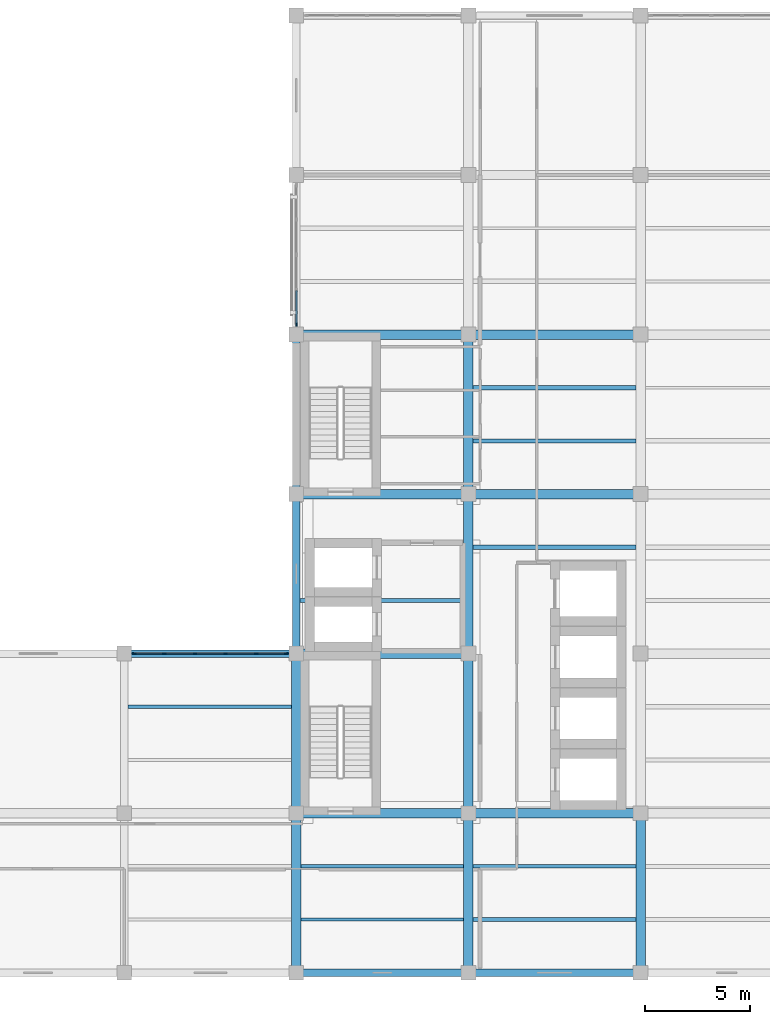
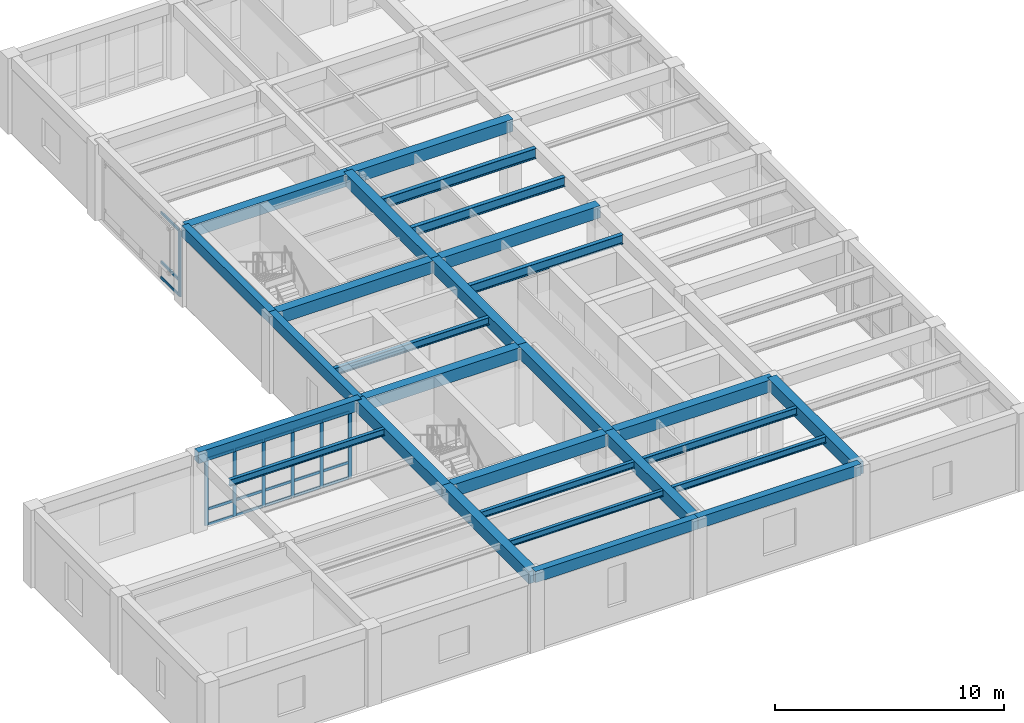
# One storey, part 2 of 13: 28 beams, 25 members, 2 elements without a shape of their own.
"""IFC4 building model written with IfcOpenShell, lengths in metres."""

from ifc_helpers import new_model, si_unit, direction, frame, origin, origin_2d, place, context, subcontext, project, spatial, rectangle, i_section, extrude, material, material_profile, profile_set, type_object, element, aggregate, save


model = new_model("IFC4")

# Units and contexts
model_context = context("Model", 3, precision=1e-05, world=origin(), true_north=direction((0.0, 1.0)))
body_context = subcontext(model_context, "Body", "Model", "MODEL_VIEW")
ifc_project = project(units=[si_unit("LENGTHUNIT", "METRE"), si_unit("AREAUNIT", "SQUARE_METRE"), si_unit("VOLUMEUNIT", "CUBIC_METRE"), si_unit("PLANEANGLEUNIT", "RADIAN"), si_unit("MASSUNIT", "GRAM", prefix="KILO")], contexts=[model_context])

# Site, building, storey
site_placement = place(None, origin())
site = spatial("IfcSite", under=ifc_project, at=site_placement, CompositionType="ELEMENT")
building_placement = place(site_placement, origin())
building = spatial("IfcBuilding", under=site, at=building_placement, Name="Qandaris Square Conservatory and Botanical Centre", CompositionType="ELEMENT")
storey_placement = place(building_placement, frame((0.0, 0.0, 61.800048828125)))
storey = spatial("IfcBuildingStorey", under=building, at=storey_placement, Name="L14", CompositionType="ELEMENT", Elevation=61.800048828125)

# Beams
ifc_material_1 = material(Name="Steel S355", Category="steel")
ifc_material_profile_1 = material_profile(ifc_material_1, i_section(OverallWidth=0.199951171875, OverallDepth=0.5, WebThickness=0.01025390625, FlangeThickness=0.01611328125, FilletRadius=0.02099609375, at=origin_2d()), Name="IPE 500")
ifc_profile_set_1 = profile_set([ifc_material_profile_1], Name="Steel S355")
beam_type_1 = type_object("IfcBeamType", Name="Composite Gallery Joist IPE 500", PredefinedType="JOIST", material=ifc_profile_set_1)
for number, where, z_axis, x_axis, name in (
    (1, (147.625, 36.86669921875, 3.849853515625), (1.0, 0.0, 0.0), (0.0, 1.0, 0.0), "L14 Composite Joist 2889"),
    (2, (147.625, 41.933349609375, 3.849853515625), (1.0, 0.0, 0.0), (0.0, 1.0, 0.0), "L14 Composite Joist 2890"),
):
    element("IfcBeam", number, at=place(storey_placement, frame(where, z_axis=z_axis, x_axis=x_axis)), inside=storey, type_object=beam_type_1, Name=name, PredefinedType="JOIST", context=body_context, shape_type="SweptSolid", body=[
        extrude(i_section(OverallWidth=0.199951171875, OverallDepth=0.5, WebThickness=0.01025390625, FlangeThickness=0.01611328125, FilletRadius=0.02099609375, at=origin_2d()), origin(), (0.0, 0.0, 1.0), 7.75),
    ])
ifc_material_profile_2 = material_profile(ifc_material_1, i_section(OverallWidth=0.159912109375, OverallDepth=0.330078125, WebThickness=0.007568359375, FlangeThickness=0.011474609375, FilletRadius=0.01806640625, at=origin_2d()), Name="IPE 330")
ifc_profile_set_2 = profile_set([ifc_material_profile_2], Name="Steel S355")
beam_type_2 = type_object("IfcBeamType", Name="Composite Lab Joist IPE 330", PredefinedType="JOIST", material=ifc_profile_set_2)
beam_1_placement = place(storey_placement, frame((139.425048828125, 19.13330078125, 3.93505859375), z_axis=(1.0, 0.0, 0.0), x_axis=(0.0, 1.0, 0.0)))
element("IfcBeam", 3, at=beam_1_placement, inside=storey, type_object=beam_type_2, Name="L14 Composite Joist 2882", PredefinedType="JOIST", context=body_context, shape_type="SweptSolid", body=[
    extrude(i_section(OverallWidth=0.159912109375, OverallDepth=0.330078125, WebThickness=0.007568359375, FlangeThickness=0.011474609375, FilletRadius=0.01806640625, at=origin_2d()), origin(), (0.0, 0.0, 1.0), 7.75),
])
ifc_material_profile_3 = material_profile(ifc_material_1, i_section(OverallWidth=0.169921875, OverallDepth=0.360107421875, WebThickness=0.008056640625, FlangeThickness=0.0126953125, FilletRadius=0.01806640625, at=origin_2d()), Name="IPE 360")
ifc_profile_set_3 = profile_set([ifc_material_profile_3], Name="Steel S355")
beam_type_3 = type_object("IfcBeamType", Name="Composite Lab Joist IPE 360", PredefinedType="JOIST", material=ifc_profile_set_3)
beam_2_placement = place(storey_placement, frame((131.175048828125, 29.2666015625, 3.919921875), z_axis=(1.0, 0.0, 0.0), x_axis=(0.0, 1.0, 0.0)))
element("IfcBeam", 4, at=beam_2_placement, inside=storey, type_object=beam_type_3, Name="L14 Composite Joist 2881", PredefinedType="JOIST", context=body_context, shape_type="SweptSolid", body=[
    extrude(i_section(OverallWidth=0.169921875, OverallDepth=0.360107421875, WebThickness=0.008056640625, FlangeThickness=0.0126953125, FilletRadius=0.01806640625, at=origin_2d()), origin(), (0.0, 0.0, 1.0), 7.800048828125),
])
for number, where, z_axis, x_axis, name in (
    (5, (139.425048828125, 21.666748046875, 3.919921875), (1.0, 0.0, 0.0), (0.0, 1.0, 0.0), "L14 Composite Joist 2883"),
    (6, (147.625, 19.13330078125, 3.919921875), (1.0, 0.0, 0.0), (0.0, 1.0, 0.0), "L14 Composite Joist 2887"),
):
    element("IfcBeam", number, at=place(storey_placement, frame(where, z_axis=z_axis, x_axis=x_axis)), inside=storey, type_object=beam_type_3, Name=name, PredefinedType="JOIST", context=body_context, shape_type="SweptSolid", body=[
        extrude(i_section(OverallWidth=0.169921875, OverallDepth=0.360107421875, WebThickness=0.008056640625, FlangeThickness=0.0126953125, FilletRadius=0.01806640625, at=origin_2d()), origin(), (0.0, 0.0, 1.0), 7.75),
    ])
ifc_material_profile_4 = material_profile(ifc_material_1, i_section(OverallWidth=0.179931640625, OverallDepth=0.39990234375, WebThickness=0.008544921875, FlangeThickness=0.013427734375, FilletRadius=0.02099609375, at=origin_2d()), Name="IPE 400")
ifc_profile_set_4 = profile_set([ifc_material_profile_4], Name="Steel S355")
beam_type_4 = type_object("IfcBeamType", Name="Composite Plinth Joist IPE 400", PredefinedType="JOIST", material=ifc_profile_set_4)
beam_3_placement = place(storey_placement, frame((139.375, 34.333251953125, 3.89990234375), z_axis=(1.0, 0.0, 0.0), x_axis=(0.0, 1.0, 0.0)))
element("IfcBeam", 7, at=beam_3_placement, inside=storey, type_object=beam_type_4, Name="L14 Composite Joist 2884", PredefinedType="JOIST", context=body_context, shape_type="SweptSolid", body=[
    extrude(i_section(OverallWidth=0.179931640625, OverallDepth=0.39990234375, WebThickness=0.008544921875, FlangeThickness=0.013427734375, FilletRadius=0.02099609375, at=origin_2d()), origin(), (0.0, 0.0, 1.0), 7.800048828125),
])
beam_4_placement = place(storey_placement, frame((147.625, 21.666748046875, 3.89990234375), z_axis=(1.0, 0.0, 0.0), x_axis=(0.0, 1.0, 0.0)))
element("IfcBeam", 8, at=beam_4_placement, inside=storey, type_object=beam_type_4, Name="L14 Composite Joist 2888", PredefinedType="JOIST", context=body_context, shape_type="SweptSolid", body=[
    extrude(i_section(OverallWidth=0.179931640625, OverallDepth=0.39990234375, WebThickness=0.008544921875, FlangeThickness=0.013427734375, FilletRadius=0.02099609375, at=origin_2d()), origin(), (0.0, 0.0, 1.0), 7.75),
])

# Curtain wall, member
ifc_material_2 = material(Name="Anodised Aluminium", Category="aluminium")
curtain_wall_type_1 = type_object("IfcCurtainWallType", Name="Unitised Curtain Wall CW-4-670x351", PredefinedType="USERDEFINED", material=ifc_material_2)
curtain_wall_1_placement = place(storey_placement, origin())
curtain_wall_1 = element("IfcCurtainWall", 9, at=curtain_wall_1_placement, inside=storey, type_object=curtain_wall_type_1, Name="Curtain Wall CW-TWR-L14-4-2", ObjectType="GLAZED CURTAIN WALL", PredefinedType="USERDEFINED")
ifc_material_profile_5 = material_profile(ifc_material_2, rectangle(XDim=0.06494140625, YDim=0.179931640625, at=origin_2d()), Name="ALU-MUL 65x180")
ifc_profile_set_5 = profile_set([ifc_material_profile_5], Name="Anodised Aluminium")
member_type_1 = type_object("IfcMemberType", Name="Curtain Wall Mullion 65x180", PredefinedType="MULLION", material=ifc_profile_set_5)
member_1_placement = place(storey_placement, frame((139.199951171875, 47.482421875, 0.0), z_axis=(0.0, 0.0, 1.0), x_axis=(1.0, 0.0, 0.0)))
member_1 = element("IfcMember", 10, at=member_1_placement, type_object=member_type_1, Name="CW-4-670x351 mullion 5", PredefinedType="MULLION", context=body_context, shape_type="SweptSolid", body=[
    extrude(rectangle(XDim=0.06494140625, YDim=0.179931640625, at=origin_2d()), origin(), (0.0, 0.0, 1.0), 3.510009765625),
])

# Curtain wall, members
curtain_wall_type_2 = type_object("IfcCurtainWallType", Name="Unitised Curtain Wall CW-4-730x355", PredefinedType="USERDEFINED", material=ifc_material_2)
curtain_wall_2_placement = place(storey_placement, origin())
curtain_wall_2 = element("IfcCurtainWall", 11, at=curtain_wall_2_placement, inside=storey, type_object=curtain_wall_type_2, Name="Curtain Wall CW-TWR-L14-5-1", ObjectType="GLAZED CURTAIN WALL", PredefinedType="USERDEFINED")
member_2_placement = place(storey_placement, frame((138.717529296875, 31.800048828125, 0.0), z_axis=(0.0, 0.0, 1.0), x_axis=(0.0, -1.0, 0.0)))
member_2 = element("IfcMember", 12, at=member_2_placement, type_object=member_type_1, Name="CW-4-730x355 mullion 1", PredefinedType="MULLION", context=body_context, shape_type="SweptSolid", body=[
    extrude(rectangle(XDim=0.06494140625, YDim=0.179931640625, at=origin_2d()), origin(), (0.0, 0.0, 1.0), 3.544921875),
])
member_3_placement = place(storey_placement, frame((137.2900390625, 31.800048828125, 0.0), z_axis=(0.0, 0.0, 1.0), x_axis=(0.0, -1.0, 0.0)))
member_3 = element("IfcMember", 13, at=member_3_placement, type_object=member_type_1, Name="CW-4-730x355 mullion 2", PredefinedType="MULLION", context=body_context, shape_type="SweptSolid", body=[
    extrude(rectangle(XDim=0.06494140625, YDim=0.179931640625, at=origin_2d()), origin(), (0.0, 0.0, 1.0), 3.544921875),
])
member_4_placement = place(storey_placement, frame((135.830078125, 31.800048828125, 0.0), z_axis=(0.0, 0.0, 1.0), x_axis=(0.0, -1.0, 0.0)))
member_4 = element("IfcMember", 14, at=member_4_placement, type_object=member_type_1, Name="CW-4-730x355 mullion 3", PredefinedType="MULLION", context=body_context, shape_type="SweptSolid", body=[
    extrude(rectangle(XDim=0.06494140625, YDim=0.179931640625, at=origin_2d()), origin(), (0.0, 0.0, 1.0), 3.544921875),
])
member_5_placement = place(storey_placement, frame((134.3701171875, 31.800048828125, 0.0), z_axis=(0.0, 0.0, 1.0), x_axis=(0.0, -1.0, 0.0)))
member_5 = element("IfcMember", 15, at=member_5_placement, type_object=member_type_1, Name="CW-4-730x355 mullion 4", PredefinedType="MULLION", context=body_context, shape_type="SweptSolid", body=[
    extrude(rectangle(XDim=0.06494140625, YDim=0.179931640625, at=origin_2d()), origin(), (0.0, 0.0, 1.0), 3.544921875),
])
member_6_placement = place(storey_placement, frame((132.909912109375, 31.800048828125, 0.0), z_axis=(0.0, 0.0, 1.0), x_axis=(0.0, -1.0, 0.0)))
member_6 = element("IfcMember", 16, at=member_6_placement, type_object=member_type_1, Name="CW-4-730x355 mullion 5", PredefinedType="MULLION", context=body_context, shape_type="SweptSolid", body=[
    extrude(rectangle(XDim=0.06494140625, YDim=0.179931640625, at=origin_2d()), origin(), (0.0, 0.0, 1.0), 3.544921875),
])
member_7_placement = place(storey_placement, frame((131.482421875, 31.800048828125, 0.0), z_axis=(0.0, 0.0, 1.0), x_axis=(0.0, -1.0, 0.0)))
member_7 = element("IfcMember", 17, at=member_7_placement, type_object=member_type_1, Name="CW-4-730x355 mullion 6", PredefinedType="MULLION", context=body_context, shape_type="SweptSolid", body=[
    extrude(rectangle(XDim=0.06494140625, YDim=0.179931640625, at=origin_2d()), origin(), (0.0, 0.0, 1.0), 3.544921875),
])

# Member
ifc_material_profile_6 = material_profile(ifc_material_2, rectangle(XDim=0.06494140625, YDim=0.139892578125, at=origin_2d()), Name="ALU-TRN 65x140")
ifc_profile_set_6 = profile_set([ifc_material_profile_6], Name="Anodised Aluminium")
member_type_2 = type_object("IfcMemberType", Name="Curtain Wall Transom 65x140", PredefinedType="USERDEFINED", material=ifc_profile_set_6)
member_8_placement = place(storey_placement, frame((139.199951171875, 49.092529296875, 0.032470703125), z_axis=(0.0, -1.0, 0.0), x_axis=(1.0, 0.0, 0.0)))
member_8 = element("IfcMember", 18, at=member_8_placement, type_object=member_type_2, Name="CW-4-670x351 transom 4.1", ObjectType="TRANSOM", PredefinedType="USERDEFINED", context=body_context, shape_type="SweptSolid", body=[
    extrude(rectangle(XDim=0.06494140625, YDim=0.139892578125, at=origin_2d()), origin(), (0.0, 0.0, 1.0), 1.57763671875),
])

member_9_placement = place(storey_placement, frame((139.199951171875, 49.092529296875, 0.84228515625), z_axis=(0.0, -1.0, 0.0), x_axis=(1.0, 0.0, 0.0)))
member_9 = element("IfcMember", 19, at=member_9_placement, type_object=member_type_2, Name="CW-4-670x351 transom 4.2", ObjectType="TRANSOM", PredefinedType="USERDEFINED", context=body_context, shape_type="SweptSolid", body=[
    extrude(rectangle(XDim=0.06494140625, YDim=0.139892578125, at=origin_2d()), origin(), (0.0, 0.0, 1.0), 1.57763671875),
])

member_10_placement = place(storey_placement, frame((139.199951171875, 49.092529296875, 3.4775390625), z_axis=(0.0, -1.0, 0.0), x_axis=(1.0, 0.0, 0.0)))
member_10 = element("IfcMember", 20, at=member_10_placement, type_object=member_type_2, Name="CW-4-670x351 transom 4.3", ObjectType="TRANSOM", PredefinedType="USERDEFINED", context=body_context, shape_type="SweptSolid", body=[
    extrude(rectangle(XDim=0.06494140625, YDim=0.139892578125, at=origin_2d()), origin(), (0.0, 0.0, 1.0), 1.57763671875),
])

aggregate(curtain_wall_1, [member_1, member_8, member_9, member_10])

member_11_placement = place(storey_placement, frame((138.68505859375, 31.800048828125, 0.032470703125), z_axis=(-1.0, 0.0, 0.0), x_axis=(0.0, -1.0, 0.0)))
member_11 = element("IfcMember", 21, at=member_11_placement, type_object=member_type_2, Name="CW-4-730x355 transom 1.1", ObjectType="TRANSOM", PredefinedType="USERDEFINED", context=body_context, shape_type="SweptSolid", body=[
    extrude(rectangle(XDim=0.06494140625, YDim=0.139892578125, at=origin_2d()), origin(), (0.0, 0.0, 1.0), 1.362548828125),
])

member_12_placement = place(storey_placement, frame((138.68505859375, 31.800048828125, 0.849853515625), z_axis=(-1.0, 0.0, 0.0), x_axis=(0.0, -1.0, 0.0)))
member_12 = element("IfcMember", 22, at=member_12_placement, type_object=member_type_2, Name="CW-4-730x355 transom 1.2", ObjectType="TRANSOM", PredefinedType="USERDEFINED", context=body_context, shape_type="SweptSolid", body=[
    extrude(rectangle(XDim=0.06494140625, YDim=0.139892578125, at=origin_2d()), origin(), (0.0, 0.0, 1.0), 1.362548828125),
])

member_13_placement = place(storey_placement, frame((138.68505859375, 31.800048828125, 3.512451171875), z_axis=(-1.0, 0.0, 0.0), x_axis=(0.0, -1.0, 0.0)))
member_13 = element("IfcMember", 23, at=member_13_placement, type_object=member_type_2, Name="CW-4-730x355 transom 1.3", ObjectType="TRANSOM", PredefinedType="USERDEFINED", context=body_context, shape_type="SweptSolid", body=[
    extrude(rectangle(XDim=0.06494140625, YDim=0.139892578125, at=origin_2d()), origin(), (0.0, 0.0, 1.0), 1.362548828125),
])

member_14_placement = place(storey_placement, frame((137.257568359375, 31.800048828125, 0.032470703125), z_axis=(-1.0, 0.0, 0.0), x_axis=(0.0, -1.0, 0.0)))
member_14 = element("IfcMember", 24, at=member_14_placement, type_object=member_type_2, Name="CW-4-730x355 transom 2.1", ObjectType="TRANSOM", PredefinedType="USERDEFINED", context=body_context, shape_type="SweptSolid", body=[
    extrude(rectangle(XDim=0.06494140625, YDim=0.139892578125, at=origin_2d()), origin(), (0.0, 0.0, 1.0), 1.39501953125),
])

member_15_placement = place(storey_placement, frame((137.257568359375, 31.800048828125, 0.849853515625), z_axis=(-1.0, 0.0, 0.0), x_axis=(0.0, -1.0, 0.0)))
member_15 = element("IfcMember", 25, at=member_15_placement, type_object=member_type_2, Name="CW-4-730x355 transom 2.2", ObjectType="TRANSOM", PredefinedType="USERDEFINED", context=body_context, shape_type="SweptSolid", body=[
    extrude(rectangle(XDim=0.06494140625, YDim=0.139892578125, at=origin_2d()), origin(), (0.0, 0.0, 1.0), 1.39501953125),
])

member_16_placement = place(storey_placement, frame((137.257568359375, 31.800048828125, 3.512451171875), z_axis=(-1.0, 0.0, 0.0), x_axis=(0.0, -1.0, 0.0)))
member_16 = element("IfcMember", 26, at=member_16_placement, type_object=member_type_2, Name="CW-4-730x355 transom 2.3", ObjectType="TRANSOM", PredefinedType="USERDEFINED", context=body_context, shape_type="SweptSolid", body=[
    extrude(rectangle(XDim=0.06494140625, YDim=0.139892578125, at=origin_2d()), origin(), (0.0, 0.0, 1.0), 1.39501953125),
])

member_17_placement = place(storey_placement, frame((135.797607421875, 31.800048828125, 0.032470703125), z_axis=(-1.0, 0.0, 0.0), x_axis=(0.0, -1.0, 0.0)))
member_17 = element("IfcMember", 27, at=member_17_placement, type_object=member_type_2, Name="CW-4-730x355 transom 3.1", ObjectType="TRANSOM", PredefinedType="USERDEFINED", context=body_context, shape_type="SweptSolid", body=[
    extrude(rectangle(XDim=0.06494140625, YDim=0.139892578125, at=origin_2d()), origin(), (0.0, 0.0, 1.0), 1.39501953125),
])

member_18_placement = place(storey_placement, frame((135.797607421875, 31.800048828125, 0.849853515625), z_axis=(-1.0, 0.0, 0.0), x_axis=(0.0, -1.0, 0.0)))
member_18 = element("IfcMember", 28, at=member_18_placement, type_object=member_type_2, Name="CW-4-730x355 transom 3.2", ObjectType="TRANSOM", PredefinedType="USERDEFINED", context=body_context, shape_type="SweptSolid", body=[
    extrude(rectangle(XDim=0.06494140625, YDim=0.139892578125, at=origin_2d()), origin(), (0.0, 0.0, 1.0), 1.39501953125),
])

member_19_placement = place(storey_placement, frame((135.797607421875, 31.800048828125, 3.512451171875), z_axis=(-1.0, 0.0, 0.0), x_axis=(0.0, -1.0, 0.0)))
member_19 = element("IfcMember", 29, at=member_19_placement, type_object=member_type_2, Name="CW-4-730x355 transom 3.3", ObjectType="TRANSOM", PredefinedType="USERDEFINED", context=body_context, shape_type="SweptSolid", body=[
    extrude(rectangle(XDim=0.06494140625, YDim=0.139892578125, at=origin_2d()), origin(), (0.0, 0.0, 1.0), 1.39501953125),
])

member_20_placement = place(storey_placement, frame((134.33740234375, 31.800048828125, 0.032470703125), z_axis=(-1.0, 0.0, 0.0), x_axis=(0.0, -1.0, 0.0)))
member_20 = element("IfcMember", 30, at=member_20_placement, type_object=member_type_2, Name="CW-4-730x355 transom 4.1", ObjectType="TRANSOM", PredefinedType="USERDEFINED", context=body_context, shape_type="SweptSolid", body=[
    extrude(rectangle(XDim=0.06494140625, YDim=0.139892578125, at=origin_2d()), origin(), (0.0, 0.0, 1.0), 1.39501953125),
])

member_21_placement = place(storey_placement, frame((134.33740234375, 31.800048828125, 0.849853515625), z_axis=(-1.0, 0.0, 0.0), x_axis=(0.0, -1.0, 0.0)))
member_21 = element("IfcMember", 31, at=member_21_placement, type_object=member_type_2, Name="CW-4-730x355 transom 4.2", ObjectType="TRANSOM", PredefinedType="USERDEFINED", context=body_context, shape_type="SweptSolid", body=[
    extrude(rectangle(XDim=0.06494140625, YDim=0.139892578125, at=origin_2d()), origin(), (0.0, 0.0, 1.0), 1.39501953125),
])

member_22_placement = place(storey_placement, frame((134.33740234375, 31.800048828125, 3.512451171875), z_axis=(-1.0, 0.0, 0.0), x_axis=(0.0, -1.0, 0.0)))
member_22 = element("IfcMember", 32, at=member_22_placement, type_object=member_type_2, Name="CW-4-730x355 transom 4.3", ObjectType="TRANSOM", PredefinedType="USERDEFINED", context=body_context, shape_type="SweptSolid", body=[
    extrude(rectangle(XDim=0.06494140625, YDim=0.139892578125, at=origin_2d()), origin(), (0.0, 0.0, 1.0), 1.39501953125),
])

member_23_placement = place(storey_placement, frame((132.87744140625, 31.800048828125, 0.032470703125), z_axis=(-1.0, 0.0, 0.0), x_axis=(0.0, -1.0, 0.0)))
member_23 = element("IfcMember", 33, at=member_23_placement, type_object=member_type_2, Name="CW-4-730x355 transom 5.1", ObjectType="TRANSOM", PredefinedType="USERDEFINED", context=body_context, shape_type="SweptSolid", body=[
    extrude(rectangle(XDim=0.06494140625, YDim=0.139892578125, at=origin_2d()), origin(), (0.0, 0.0, 1.0), 1.362548828125),
])

member_24_placement = place(storey_placement, frame((132.87744140625, 31.800048828125, 0.849853515625), z_axis=(-1.0, 0.0, 0.0), x_axis=(0.0, -1.0, 0.0)))
member_24 = element("IfcMember", 34, at=member_24_placement, type_object=member_type_2, Name="CW-4-730x355 transom 5.2", ObjectType="TRANSOM", PredefinedType="USERDEFINED", context=body_context, shape_type="SweptSolid", body=[
    extrude(rectangle(XDim=0.06494140625, YDim=0.139892578125, at=origin_2d()), origin(), (0.0, 0.0, 1.0), 1.362548828125),
])

member_25_placement = place(storey_placement, frame((132.87744140625, 31.800048828125, 3.512451171875), z_axis=(-1.0, 0.0, 0.0), x_axis=(0.0, -1.0, 0.0)))
member_25 = element("IfcMember", 35, at=member_25_placement, type_object=member_type_2, Name="CW-4-730x355 transom 5.3", ObjectType="TRANSOM", PredefinedType="USERDEFINED", context=body_context, shape_type="SweptSolid", body=[
    extrude(rectangle(XDim=0.06494140625, YDim=0.139892578125, at=origin_2d()), origin(), (0.0, 0.0, 1.0), 1.362548828125),
])

aggregate(curtain_wall_2, [member_2, member_3, member_4, member_5, member_6, member_7, member_11, member_12, member_13, member_14, member_15, member_16, member_17, member_18, member_19, member_20, member_21, member_22, member_23, member_24, member_25])

# Beams
ifc_material_profile_7 = material_profile(ifc_material_1, i_section(OverallWidth=0.2099609375, OverallDepth=0.550048828125, WebThickness=0.010986328125, FlangeThickness=0.01708984375, FilletRadius=0.02392578125, at=origin_2d()), Name="IPE 550")
ifc_profile_set_7 = profile_set([ifc_material_profile_7], Name="Steel S355")
beam_type_5 = type_object("IfcBeamType", Name="Long-Span Foyer Joist IPE 550", PredefinedType="JOIST", material=ifc_profile_set_7)
beam_5_placement = place(storey_placement, frame((147.625, 44.466796875, 3.824951171875), z_axis=(1.0, 0.0, 0.0), x_axis=(0.0, 1.0, 0.0)))
element("IfcBeam", 36, at=beam_5_placement, inside=storey, type_object=beam_type_5, Name="L14 Composite Joist 2891", PredefinedType="JOIST", context=body_context, shape_type="SweptSolid", body=[
    extrude(i_section(OverallWidth=0.2099609375, OverallDepth=0.550048828125, WebThickness=0.010986328125, FlangeThickness=0.01708984375, FilletRadius=0.02392578125, at=origin_2d()), origin(), (0.0, 0.0, 1.0), 7.75),
])
ifc_material_3 = material(Name="Concrete C50/60", Category="concrete")
ifc_material_profile_8 = material_profile(ifc_material_3, rectangle(XDim=0.35009765625, YDim=0.60009765625, at=origin_2d()), Name="RC-SP 350x600")
ifc_profile_set_8 = profile_set([ifc_material_profile_8], Name="Concrete C50/60")
beam_type_6 = type_object("IfcBeamType", Name="RC Edge Spandrel Beam 350x600", PredefinedType="SPANDREL", material=ifc_profile_set_8)
beam_6_placement = place(storey_placement, frame((139.199951171875, 16.60009765625, 3.844970703125), z_axis=(1.0, 0.0, 0.0), x_axis=(0.0, 1.0, 0.0)))
element("IfcBeam", 37, at=beam_6_placement, inside=storey, type_object=beam_type_6, Name="L14 Frame Beam 2826", PredefinedType="SPANDREL", context=body_context, shape_type="SweptSolid", body=[
    extrude(rectangle(XDim=0.35009765625, YDim=0.60009765625, at=origin_2d()), origin(), (0.0, 0.0, 1.0), 8.199951171875),
])
beam_7_placement = place(storey_placement, frame((147.39990234375, 16.60009765625, 3.844970703125), z_axis=(1.0, 0.0, 0.0), x_axis=(0.0, 1.0, 0.0)))
element("IfcBeam", 38, at=beam_7_placement, inside=storey, type_object=beam_type_6, Name="L14 Frame Beam 2827", PredefinedType="SPANDREL", context=body_context, shape_type="SweptSolid", body=[
    extrude(rectangle(XDim=0.35009765625, YDim=0.60009765625, at=origin_2d()), origin(), (0.0, 0.0, 1.0), 8.2001953125),
])
beam_8_placement = place(storey_placement, frame((131.0, 31.800048828125, 3.844970703125), z_axis=(1.0, 0.0, 0.0), x_axis=(0.0, 1.0, 0.0)))
element("IfcBeam", 39, at=beam_8_placement, inside=storey, type_object=beam_type_6, Name="L14 Frame Beam 2835", PredefinedType="SPANDREL", context=body_context, shape_type="SweptSolid", body=[
    extrude(rectangle(XDim=0.35009765625, YDim=0.60009765625, at=origin_2d()), origin(), (0.0, 0.0, 1.0), 8.199951171875),
])
beam_9_placement = place(storey_placement, frame((139.199951171875, 31.800048828125, 3.81005859375), z_axis=(0.0, 1.0, 0.0), x_axis=(-1.0, 0.0, 0.0)))
element("IfcBeam", 40, at=beam_9_placement, inside=storey, type_object=beam_type_6, Name="L14 Frame Beam 2856", PredefinedType="SPANDREL", context=body_context, shape_type="SweptSolid", body=[
    extrude(rectangle(XDim=0.35009765625, YDim=0.60009765625, at=origin_2d()), origin(), (0.0, 0.0, 1.0), 7.599853515625),
])
beam_10_placement = place(storey_placement, frame((139.199951171875, 39.39990234375, 3.81005859375), z_axis=(0.0, 1.0, 0.0), x_axis=(-1.0, 0.0, 0.0)))
element("IfcBeam", 41, at=beam_10_placement, inside=storey, type_object=beam_type_6, Name="L14 Frame Beam 2857", PredefinedType="SPANDREL", context=body_context, shape_type="SweptSolid", body=[
    extrude(rectangle(XDim=0.35009765625, YDim=0.60009765625, at=origin_2d()), origin(), (0.0, 0.0, 1.0), 7.60009765625),
])
ifc_material_profile_9 = material_profile(ifc_material_3, rectangle(XDim=0.449951171875, YDim=0.64990234375, at=origin_2d()), Name="RC-BM 450x650")
ifc_profile_set_9 = profile_set([ifc_material_profile_9], Name="Concrete C50/60")
beam_type_7 = type_object("IfcBeamType", Name="RC Floor Girder 450x650", PredefinedType="BEAM", material=ifc_profile_set_9)
beam_11_placement = place(storey_placement, frame((139.199951171875, 24.199951171875, 3.784912109375), z_axis=(1.0, 0.0, 0.0), x_axis=(0.0, 1.0, 0.0)))
element("IfcBeam", 42, at=beam_11_placement, inside=storey, type_object=beam_type_7, Name="L14 Frame Beam 2831", PredefinedType="BEAM", context=body_context, shape_type="SweptSolid", body=[
    extrude(rectangle(XDim=0.449951171875, YDim=0.64990234375, at=origin_2d()), origin(), (0.0, 0.0, 1.0), 8.199951171875),
])
beam_12_placement = place(storey_placement, frame((147.39990234375, 24.199951171875, 3.784912109375), z_axis=(1.0, 0.0, 0.0), x_axis=(0.0, 1.0, 0.0)))
element("IfcBeam", 43, at=beam_12_placement, inside=storey, type_object=beam_type_7, Name="L14 Frame Beam 2832", PredefinedType="BEAM", context=body_context, shape_type="SweptSolid", body=[
    extrude(rectangle(XDim=0.449951171875, YDim=0.64990234375, at=origin_2d()), origin(), (0.0, 0.0, 1.0), 8.2001953125),
])
for number, where, z_axis, x_axis, name in (
    (44, (139.199951171875, 31.800048828125, 3.784912109375), (1.0, 0.0, 0.0), (0.0, 1.0, 0.0), "L14 Frame Beam 2836"),
    (45, (139.199951171875, 39.39990234375, 3.784912109375), (1.0, 0.0, 0.0), (0.0, 1.0, 0.0), "L14 Frame Beam 2838"),
):
    element("IfcBeam", number, at=place(storey_placement, frame(where, z_axis=z_axis, x_axis=x_axis)), inside=storey, type_object=beam_type_7, Name=name, PredefinedType="BEAM", context=body_context, shape_type="SweptSolid", body=[
        extrude(rectangle(XDim=0.449951171875, YDim=0.64990234375, at=origin_2d()), origin(), (0.0, 0.0, 1.0), 8.199951171875),
    ])
beam_13_placement = place(storey_placement, frame((147.39990234375, 39.39990234375, 3.784912109375), z_axis=(1.0, 0.0, 0.0), x_axis=(0.0, 1.0, 0.0)))
element("IfcBeam", 46, at=beam_13_placement, inside=storey, type_object=beam_type_7, Name="L14 Frame Beam 2839", PredefinedType="BEAM", context=body_context, shape_type="SweptSolid", body=[
    extrude(rectangle(XDim=0.449951171875, YDim=0.64990234375, at=origin_2d()), origin(), (0.0, 0.0, 1.0), 8.2001953125),
])
beam_14_placement = place(storey_placement, frame((139.199951171875, 47.0, 3.784912109375), z_axis=(1.0, 0.0, 0.0), x_axis=(0.0, 1.0, 0.0)))
element("IfcBeam", 47, at=beam_14_placement, inside=storey, type_object=beam_type_7, Name="L14 Frame Beam 2841", PredefinedType="BEAM", context=body_context, shape_type="SweptSolid", body=[
    extrude(rectangle(XDim=0.449951171875, YDim=0.64990234375, at=origin_2d()), origin(), (0.0, 0.0, 1.0), 8.199951171875),
])
beam_15_placement = place(storey_placement, frame((147.39990234375, 47.0, 3.784912109375), z_axis=(1.0, 0.0, 0.0), x_axis=(0.0, 1.0, 0.0)))
element("IfcBeam", 48, at=beam_15_placement, inside=storey, type_object=beam_type_7, Name="L14 Frame Beam 2842", PredefinedType="BEAM", context=body_context, shape_type="SweptSolid", body=[
    extrude(rectangle(XDim=0.449951171875, YDim=0.64990234375, at=origin_2d()), origin(), (0.0, 0.0, 1.0), 8.2001953125),
])
beam_16_placement = place(storey_placement, frame((139.199951171875, 16.60009765625, 3.784912109375), z_axis=(0.0, 1.0, 0.0), x_axis=(-1.0, 0.0, 0.0)))
element("IfcBeam", 49, at=beam_16_placement, inside=storey, type_object=beam_type_7, Name="L14 Frame Beam 2854", PredefinedType="BEAM", context=body_context, shape_type="SweptSolid", body=[
    extrude(rectangle(XDim=0.449951171875, YDim=0.64990234375, at=origin_2d()), origin(), (0.0, 0.0, 1.0), 7.599853515625),
])
beam_17_placement = place(storey_placement, frame((139.199951171875, 24.199951171875, 3.784912109375), z_axis=(0.0, 1.0, 0.0), x_axis=(-1.0, 0.0, 0.0)))
element("IfcBeam", 50, at=beam_17_placement, inside=storey, type_object=beam_type_7, Name="L14 Frame Beam 2855", PredefinedType="BEAM", context=body_context, shape_type="SweptSolid", body=[
    extrude(rectangle(XDim=0.449951171875, YDim=0.64990234375, at=origin_2d()), origin(), (0.0, 0.0, 1.0), 7.60009765625),
])
beam_18_placement = place(storey_placement, frame((147.39990234375, 16.60009765625, 3.784912109375), z_axis=(0.0, 1.0, 0.0), x_axis=(-1.0, 0.0, 0.0)))
element("IfcBeam", 51, at=beam_18_placement, inside=storey, type_object=beam_type_7, Name="L14 Frame Beam 2860", PredefinedType="BEAM", context=body_context, shape_type="SweptSolid", body=[
    extrude(rectangle(XDim=0.449951171875, YDim=0.64990234375, at=origin_2d()), origin(), (0.0, 0.0, 1.0), 7.599853515625),
])
beam_19_placement = place(storey_placement, frame((147.39990234375, 24.199951171875, 3.784912109375), z_axis=(0.0, 1.0, 0.0), x_axis=(-1.0, 0.0, 0.0)))
element("IfcBeam", 52, at=beam_19_placement, inside=storey, type_object=beam_type_7, Name="L14 Frame Beam 2861", PredefinedType="BEAM", context=body_context, shape_type="SweptSolid", body=[
    extrude(rectangle(XDim=0.449951171875, YDim=0.64990234375, at=origin_2d()), origin(), (0.0, 0.0, 1.0), 7.60009765625),
])
beam_20_placement = place(storey_placement, frame((147.39990234375, 31.800048828125, 3.784912109375), z_axis=(0.0, 1.0, 0.0), x_axis=(-1.0, 0.0, 0.0)))
element("IfcBeam", 53, at=beam_20_placement, inside=storey, type_object=beam_type_7, Name="L14 Frame Beam 2862", PredefinedType="BEAM", context=body_context, shape_type="SweptSolid", body=[
    extrude(rectangle(XDim=0.449951171875, YDim=0.64990234375, at=origin_2d()), origin(), (0.0, 0.0, 1.0), 7.599853515625),
])
beam_21_placement = place(storey_placement, frame((147.39990234375, 39.39990234375, 3.784912109375), z_axis=(0.0, 1.0, 0.0), x_axis=(-1.0, 0.0, 0.0)))
element("IfcBeam", 54, at=beam_21_placement, inside=storey, type_object=beam_type_7, Name="L14 Frame Beam 2863", PredefinedType="BEAM", context=body_context, shape_type="SweptSolid", body=[
    extrude(rectangle(XDim=0.449951171875, YDim=0.64990234375, at=origin_2d()), origin(), (0.0, 0.0, 1.0), 7.60009765625),
])
beam_22_placement = place(storey_placement, frame((155.60009765625, 16.60009765625, 3.784912109375), z_axis=(0.0, 1.0, 0.0), x_axis=(-1.0, 0.0, 0.0)))
element("IfcBeam", 55, at=beam_22_placement, inside=storey, type_object=beam_type_7, Name="L14 Frame Beam 2866", PredefinedType="BEAM", context=body_context, shape_type="SweptSolid", body=[
    extrude(rectangle(XDim=0.449951171875, YDim=0.64990234375, at=origin_2d()), origin(), (0.0, 0.0, 1.0), 7.599853515625),
])

save(model, "model.ifc")
